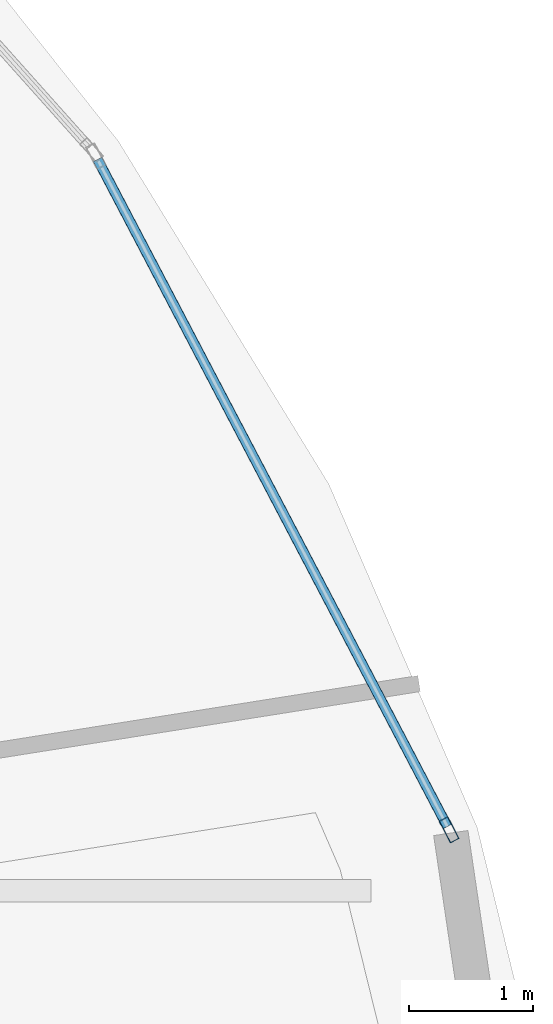
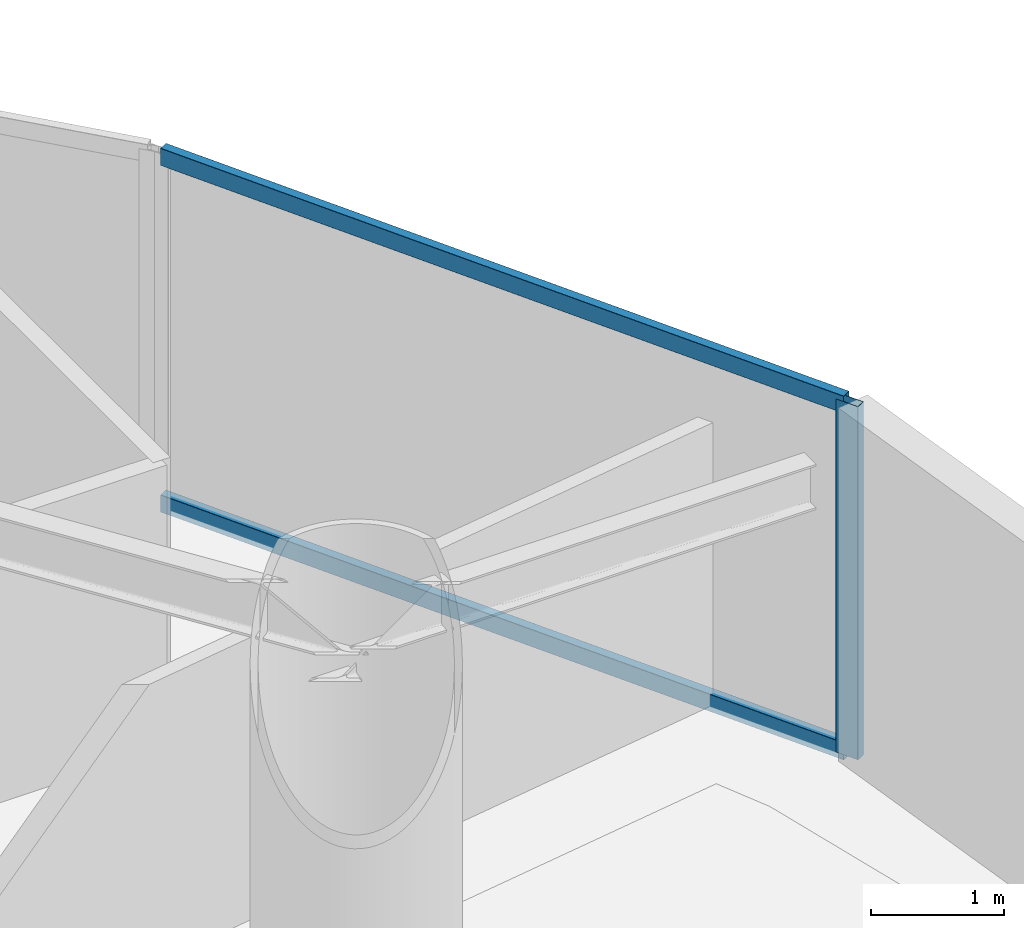
# One storey, part 10 of 25: 3 members, 1 element without a shape of its own.
"""IFC4 building model written with IfcOpenShell, lengths in metres."""

from ifc_helpers import new_model, si_unit, direction, frame, origin, origin_2d, place, context, subcontext, project, spatial, hollow_rectangle, extrude, material, layer, layer_set, material_profile, profile_set, type_object, element, aggregate, save


model = new_model("IFC4")

# Units and contexts
model_context = context("Model", 3, precision=1e-05, world=origin(), true_north=direction((0.0, 1.0)))
body_context = subcontext(model_context, "Body", "Model", "MODEL_VIEW")
ifc_project = project(units=[si_unit("LENGTHUNIT", "METRE"), si_unit("AREAUNIT", "SQUARE_METRE"), si_unit("VOLUMEUNIT", "CUBIC_METRE"), si_unit("PLANEANGLEUNIT", "RADIAN"), si_unit("MASSUNIT", "GRAM", prefix="KILO")], contexts=[model_context])

# Site, building, storey
site_placement = place(None, origin())
site = spatial("IfcSite", under=ifc_project, at=site_placement, CompositionType="ELEMENT")
building_placement = place(site_placement, origin())
building = spatial("IfcBuilding", under=site, at=building_placement, Name="Bramvorn Convention Spire", CompositionType="ELEMENT")
storey_placement = place(building_placement, frame((0.0, 0.0, 48.39990234375)))
storey = spatial("IfcBuildingStorey", under=building, at=storey_placement, Name="L09", CompositionType="ELEMENT", Elevation=48.39990234375)

# Curtain wall, members
ifc_material_1 = material(Name="Anodised Bronze Unitised Curtain Wall", Category="aluminium")
ifc_layer = layer(ifc_material_1, 0.179931640625)
ifc_layer_set = layer_set([ifc_layer], Name="Anodised Bronze Unitised Curtain Wall - CW-HTL-FRIT")
curtain_wall_type = type_object("IfcCurtainWallType", Name="CW-HTL-FRIT", PredefinedType="USERDEFINED", material=ifc_layer_set)
curtain_wall_placement = place(storey_placement, origin())
curtain_wall = element("IfcCurtainWall", 1, at=curtain_wall_placement, inside=storey, type_object=curtain_wall_type, Name="L09 fritted glass curtain wall 02", ObjectType="UNITISED CURTAIN WALL", PredefinedType="USERDEFINED")
ifc_material_2 = material(Name="Anodised Bronze Aluminium 6063-T6", Category="aluminium")
ifc_material_profile_1 = material_profile(ifc_material_2, hollow_rectangle(XDim=0.080078125, YDim=0.199951171875, WallThickness=0.00390625, InnerFilletRadius=0.0009765625, OuterFilletRadius=0.00390625, at=origin_2d()))
ifc_profile_set_1 = profile_set([ifc_material_profile_1], Name="Anodised Bronze Aluminium 6063-T6 - CWM80X200")
member_type_1 = type_object("IfcMemberType", Name="CW-MUL-180", PredefinedType="MULLION", material=ifc_profile_set_1)
member_1_placement = place(storey_placement, frame((69.9189453125, 29.83447265625, 0.0), z_axis=(0.0, 0.0, 1.0), x_axis=(0.885625702501, 0.464399736294, 0.0)))
member_1 = element("IfcMember", 2, at=member_1_placement, type_object=member_type_1, Name="CW2 mullion 2", PredefinedType="MULLION", context=body_context, shape_type="SweptSolid", body=[
    extrude(hollow_rectangle(XDim=0.080078125, YDim=0.199951171875, WallThickness=0.00390625, InnerFilletRadius=0.0009765625, OuterFilletRadius=0.00390625, at=origin_2d()), origin(), (0.0, 0.0, 1.0), 3.25),
])
ifc_material_profile_2 = material_profile(ifc_material_2, hollow_rectangle(XDim=0.080078125, YDim=0.159912109375, WallThickness=0.00390625, InnerFilletRadius=0.0009765625, OuterFilletRadius=0.00390625, at=origin_2d()))
ifc_profile_set_2 = profile_set([ifc_material_profile_2], Name="Anodised Bronze Aluminium 6063-T6 - CWT80X160")
member_type_2 = type_object("IfcMemberType", Name="CW-TRN-150", PredefinedType="USERDEFINED", material=ifc_profile_set_2)
member_2_placement = place(storey_placement, frame((67.07568359375, 35.25634765625, 0.030029296875), z_axis=(0.46442623007, -0.885611809329, 0.0), x_axis=(0.885611809329, 0.46442623007, 0.0)))
member_2 = element("IfcMember", 3, at=member_2_placement, type_object=member_type_2, Name="CW2 transom 1.1", ObjectType="TRANSOM", PredefinedType="USERDEFINED", context=body_context, shape_type="SweptSolid", body=[
    extrude(hollow_rectangle(XDim=0.080078125, YDim=0.159912109375, WallThickness=0.00390625, InnerFilletRadius=0.0009765625, OuterFilletRadius=0.00390625, at=origin_2d()), origin(), (0.0, 0.0, 1.0), 6.092041015625),
])
member_3_placement = place(storey_placement, frame((67.07568359375, 35.25634765625, 3.22021484375), z_axis=(0.46442623007, -0.885611809329, 0.0), x_axis=(0.885611809329, 0.46442623007, 0.0)))
member_3 = element("IfcMember", 4, at=member_3_placement, type_object=member_type_2, Name="CW2 transom 1.2", ObjectType="TRANSOM", PredefinedType="USERDEFINED", context=body_context, shape_type="SweptSolid", body=[
    extrude(hollow_rectangle(XDim=0.080078125, YDim=0.159912109375, WallThickness=0.00390625, InnerFilletRadius=0.0009765625, OuterFilletRadius=0.00390625, at=origin_2d()), origin(), (0.0, 0.0, 1.0), 6.092041015625),
])
aggregate(curtain_wall, [member_1, member_2, member_3])

save(model, "model.ifc")
